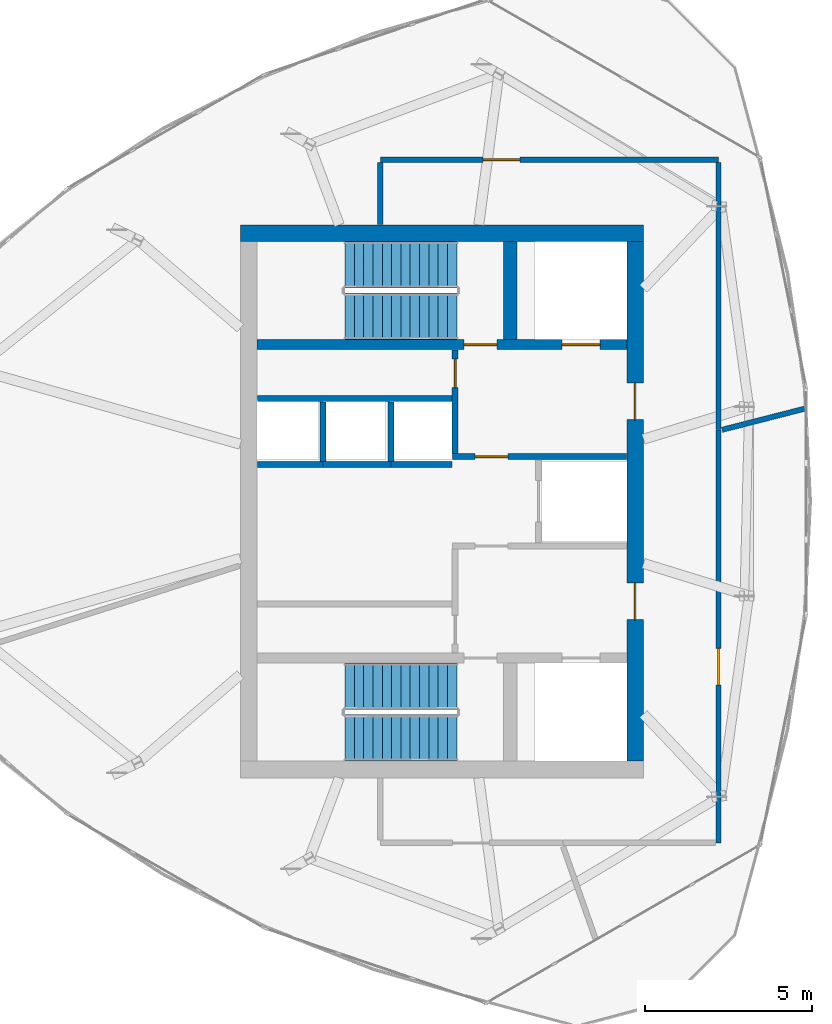
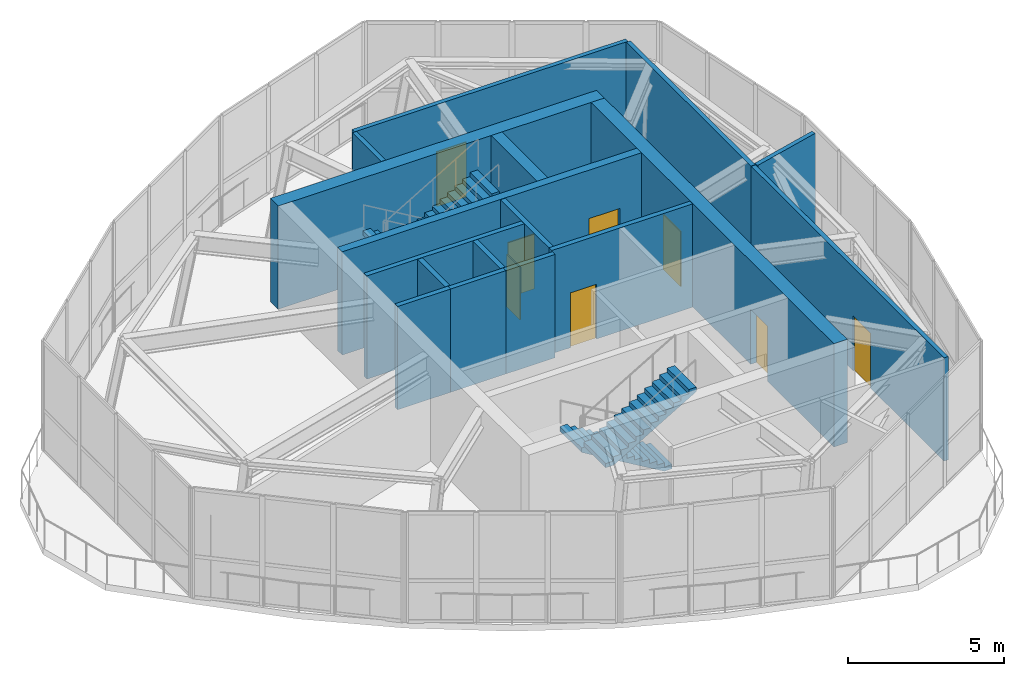
# One storey, part 8 of 11: 17 walls, 8 doors, 4 stair flights, 8 openings, 2 elements without a shape of their own.
"""IFC4 building model written with IfcOpenShell, lengths in metres."""

import ifcopenshell
import ifcopenshell.guid

model = None  # the IFC model being written
_history = None  # IfcOwnerHistory: only IFC2X3 demands one
_inside = {}  # id of a spatial element -> (the spatial element, [elements in it])
_under = {}  # id of a project, library or spatial element -> (it, [spatial elements below it])
_declared = {}  # id of a project -> (the project, [libraries it declares])
_typed = {}  # id of a type object -> (the type object, [elements of that type])
_made_of = {}  # id of a material, layer set ... -> (it, [elements and type objects made of it])


def new_model(schema):
    """Start an empty IFC model of exactly this schema.

    Asked for "IFC4X3", IfcOpenShell would pick the latest addendum, in which some entities
    have other attributes; the version numbers below select the first issue.
    IFC2X3 requires an IfcOwnerHistory on every rooted entity: one is made here for all.
    """
    global model, _history
    if schema == "IFC4X3":
        model = ifcopenshell.file(schema_version=(4, 3, 0, 0))
    else:
        model = ifcopenshell.file(schema=schema)
    _inside.clear()
    _under.clear()
    _declared.clear()
    _typed.clear()
    _made_of.clear()
    _history = None
    if model.schema == "IFC2X3":
        org = make("IfcOrganization", Name="unknown")
        user = make(
            "IfcPersonAndOrganization",
            ThePerson=make("IfcPerson", FamilyName="unknown"),
            TheOrganization=org,
        )
        app = make(
            "IfcApplication",
            ApplicationDeveloper=org,
            Version="unknown",
            ApplicationFullName="unknown",
            ApplicationIdentifier="unknown",
        )
        _history = make(
            "IfcOwnerHistory",
            OwningUser=user,
            OwningApplication=app,
            ChangeAction="ADDED",
            CreationDate=0,
        )
    return model


def make(cls, **values):
    """One entity of the class cls with the attributes given. An attribute that is None is left unset."""
    return model.create_entity(
        cls, **{name: value for name, value in values.items() if value is not None}
    )


def rooted(cls, **values):
    """An entity with a GlobalId (a new one), such as an element, a storey or a relation."""
    return make(cls, GlobalId=ifcopenshell.guid.new(), OwnerHistory=_history, **values)


def si_unit(unit_type, name, prefix=None):
    """IfcSIUnit, for example si_unit("LENGTHUNIT", "METRE", prefix="MILLI")."""
    return make("IfcSIUnit", UnitType=unit_type, Prefix=prefix, Name=name)


def assignment(units):
    """IfcUnitAssignment: the units of a project."""
    return None if units is None else make("IfcUnitAssignment", Units=units)


def point(xyz):
    """IfcCartesianPoint."""
    return None if xyz is None else make("IfcCartesianPoint", Coordinates=xyz)


def direction(xyz):
    """IfcDirection."""
    return None if xyz is None else make("IfcDirection", DirectionRatios=xyz)


def frame(location, z_axis=None, x_axis=None):
    """IfcAxis2Placement3D, a coordinate frame: its origin and axes. An axis left out is left unset."""
    return make(
        "IfcAxis2Placement3D",
        Location=point(location),
        Axis=direction(z_axis),
        RefDirection=direction(x_axis),
    )


def frame_2d(location, x_axis=None):
    """IfcAxis2Placement2D, a coordinate frame in the plane: its origin and x axis."""
    return make(
        "IfcAxis2Placement2D", Location=point(location), RefDirection=direction(x_axis)
    )


def origin():
    """The frame at (0, 0, 0) with its axes left unset."""
    return frame((0.0, 0.0, 0.0))


def place(relative_to, where):
    """IfcLocalPlacement: puts the frame where relative to a parent placement (None: the world)."""
    return make(
        "IfcLocalPlacement", PlacementRelTo=relative_to, RelativePlacement=where
    )


def context(
    kind, dimensions, precision=None, world=None, true_north=None, identifier=None
):
    """IfcGeometricRepresentationContext, for example the 3D "Model" context."""
    return make(
        "IfcGeometricRepresentationContext",
        ContextIdentifier=identifier,
        ContextType=kind,
        CoordinateSpaceDimension=dimensions,
        Precision=precision,
        WorldCoordinateSystem=world,
        TrueNorth=true_north,
    )


def subcontext(parent, identifier, kind, view, scale=None):
    """IfcGeometricRepresentationSubContext, for example "Body" below "Model"."""
    return make(
        "IfcGeometricRepresentationSubContext",
        ContextIdentifier=identifier,
        ContextType=kind,
        ParentContext=parent,
        TargetScale=scale,
        TargetView=view,
    )


def project(units=None, contexts=None):
    """IfcProject with its units and contexts."""
    return rooted(
        "IfcProject",
        Name="project",
        RepresentationContexts=contexts,
        UnitsInContext=assignment(units),
    )


def spatial(cls, under=None, at=None, **own):
    """A site, building, storey or space (cls), placed at a placement, below another one or the project."""
    s = rooted(cls, ObjectPlacement=at, **own)
    if under is not None:
        _under.setdefault(under.id(), (under, []))[1].append(s)
    return s


def polyline(points):
    """IfcPolyline through the points."""
    return make("IfcPolyline", Points=[point(p) for p in points])


def profile(cls, at=None, kind="AREA", **sizes):
    """A parametric profile (cls). Its sizes go by their IFC names, for example OverallWidth=200.0."""
    return make(cls, ProfileType=kind, Position=at, **sizes)


def rectangle(**sizes):
    """IfcRectangleProfileDef."""
    return profile("IfcRectangleProfileDef", **sizes)


def outline(outer, holes=None, kind="AREA"):
    """IfcArbitraryClosedProfileDef: a profile drawn as a closed curve; with holes, ...WithVoids."""
    if holes is None:
        return make("IfcArbitraryClosedProfileDef", ProfileType=kind, OuterCurve=outer)
    return make(
        "IfcArbitraryProfileDefWithVoids",
        ProfileType=kind,
        OuterCurve=outer,
        InnerCurves=holes,
    )


def extrude(swept, where, along, depth):
    """IfcExtrudedAreaSolid: the profile swept, set in the frame where, extruded along a direction by depth."""
    return make(
        "IfcExtrudedAreaSolid",
        SweptArea=swept,
        Position=where,
        ExtrudedDirection=direction(along),
        Depth=depth,
    )


def shape(context_of_items, identifier, shape_type, items):
    """IfcShapeRepresentation: the items that make up one representation, for example the "Body"."""
    return make(
        "IfcShapeRepresentation",
        ContextOfItems=context_of_items,
        RepresentationIdentifier=identifier,
        RepresentationType=shape_type,
        Items=items,
    )


def source(mapping_origin, context_of_items, identifier, shape_type, items):
    """IfcRepresentationMap: a shape defined once, which mapped items show again and again."""
    return make(
        "IfcRepresentationMap",
        MappingOrigin=mapping_origin,
        MappedRepresentation=shape(context_of_items, identifier, shape_type, items),
    )


def transform(
    local_origin,
    x_axis=None,
    y_axis=None,
    z_axis=None,
    scale=None,
    scale2=None,
    scale3=None,
    uniform=True,
):
    """IfcCartesianTransformationOperator3D, or its non-uniform kind. x_axis, y_axis, z_axis: its Axis1, 2, 3."""
    if uniform:
        return make(
            "IfcCartesianTransformationOperator3D",
            Axis1=direction(x_axis),
            Axis2=direction(y_axis),
            LocalOrigin=point(local_origin),
            Scale=scale,
            Axis3=direction(z_axis),
        )
    return make(
        "IfcCartesianTransformationOperator3DnonUniform",
        Axis1=direction(x_axis),
        Axis2=direction(y_axis),
        LocalOrigin=point(local_origin),
        Scale=scale,
        Axis3=direction(z_axis),
        Scale2=scale2,
        Scale3=scale3,
    )


def mapped(mapping_source, mapping_target):
    """IfcMappedItem: shows the shape of a source again, moved by a transform."""
    return make(
        "IfcMappedItem", MappingSource=mapping_source, MappingTarget=mapping_target
    )


def material(Name=None, Category=None):
    """IfcMaterial."""
    return make("IfcMaterial", Name=Name, Category=Category)


def layer(
    of_material, thickness, ventilated=None, Name=None, Category=None, Priority=None
):
    """IfcMaterialLayer: one layer of a wall or slab, of a material (None: an air gap)."""
    return make(
        "IfcMaterialLayer",
        Material=of_material,
        LayerThickness=thickness,
        IsVentilated=ventilated,
        Name=Name,
        Category=Category,
        Priority=Priority,
    )


def layer_set(layers, Name=None):
    """IfcMaterialLayerSet."""
    return make("IfcMaterialLayerSet", MaterialLayers=layers, LayerSetName=Name)


def made_of(thing, what):
    """Note that an element or type object is made of a material, layer set ...; save() writes the relation."""
    if what is not None:
        _made_of.setdefault(what.id(), (what, []))[1].append(thing)
    return thing


def type_object(cls, material=None, **own):
    """A type object (cls), such as IfcWallType, which elements share."""
    return made_of(rooted(cls, **own), material)


def element(
    cls,
    number,
    at=None,
    inside=None,
    cuts=None,
    type_object=None,
    material=None,
    context=None,
    identifier="Body",
    shape_type=None,
    held_by="IfcProductDefinitionShape",
    body=None,
    shapes=None,
    **own,
):
    """One element of the class cls, such as IfcWall. Its Tag is "e" and its number.

    at: its placement. inside: the storey or other place that contains it. cuts: it is an
    opening in that element (IfcRelVoidsElement). A single representation is given by context,
    identifier, shape_type and body (its items); several are given by shapes. held_by: the class
    of the entity that holds the representations. save() writes the other relations.
    """
    e = rooted(cls, Tag="e%d" % number, ObjectPlacement=at, **own)
    if body is not None:
        shapes = [shape(context, identifier, shape_type, body)]
    if shapes is not None:
        e.Representation = make(held_by, Representations=shapes)
    if inside is not None:
        _inside.setdefault(inside.id(), (inside, []))[1].append(e)
    if cuts is not None:
        rooted(
            "IfcRelVoidsElement", RelatingBuildingElement=cuts, RelatedOpeningElement=e
        )
    if type_object is not None:
        _typed.setdefault(type_object.id(), (type_object, []))[1].append(e)
    return made_of(e, material)


def fill(opening, filler):
    """IfcRelFillsElement: the door or window that sits in an opening."""
    return rooted(
        "IfcRelFillsElement",
        RelatingOpeningElement=opening,
        RelatedBuildingElement=filler,
    )


def aggregate(whole, parts):
    """IfcRelAggregates: a whole, such as a stair, and the parts it consists of."""
    return rooted("IfcRelAggregates", RelatingObject=whole, RelatedObjects=parts)


def save(model, path):
    """Write the relations noted so far, then the file.

    IfcRelAggregates (storeys below a building ...), IfcRelContainedInSpatialStructure (elements
    in a storey), IfcRelDefinesByType, IfcRelAssociatesMaterial and IfcRelDeclares: one each for
    every whole, place, type object, material and project.
    """
    for whole, parts in _under.values():
        aggregate(whole, parts)
    for where, things in _inside.values():
        rooted(
            "IfcRelContainedInSpatialStructure",
            RelatedElements=things,
            RelatingStructure=where,
        )
    for kind, things in _typed.values():
        rooted("IfcRelDefinesByType", RelatedObjects=things, RelatingType=kind)
    for what, things in _made_of.values():
        rooted("IfcRelAssociatesMaterial", RelatedObjects=things, RelatingMaterial=what)
    for by, libraries in _declared.values():
        rooted("IfcRelDeclares", RelatingContext=by, RelatedDefinitions=libraries)
    model.write(path)


model = new_model("IFC4")

# Units and contexts
model_context = context("Model", 3, precision=1e-05, world=origin(), true_north=direction((0.0, 1.0)))
body_context = subcontext(model_context, "Body", "Model", "MODEL_VIEW")
ifc_project = project(units=[si_unit("LENGTHUNIT", "METRE"), si_unit("AREAUNIT", "SQUARE_METRE"), si_unit("VOLUMEUNIT", "CUBIC_METRE"), si_unit("PLANEANGLEUNIT", "RADIAN"), si_unit("MASSUNIT", "GRAM", prefix="KILO")], contexts=[model_context])

# Site, building, storey
site_placement = place(None, origin())
site = spatial("IfcSite", under=ifc_project, at=site_placement, CompositionType="ELEMENT")
building_placement = place(site_placement, origin())
building = spatial("IfcBuilding", under=site, at=building_placement, Name="Qafzar Sky-Pleat Residences", CompositionType="ELEMENT")
storey_placement = place(building_placement, frame((0.0, 0.0, 253.199951171875)))
storey = spatial("IfcBuildingStorey", under=building, at=storey_placement, Name="L76 Crown", CompositionType="ELEMENT", Elevation=253.199951171875)

# Wall, opening, door
ifc_material_1 = material(Name="Acoustic gypsum plasterboard partition", Category="gypsum")
ifc_layer_1 = layer(ifc_material_1, 0.159912109375)
ifc_layer_set_1 = layer_set([ifc_layer_1], Name="Acoustic gypsum plasterboard partition")
wall_type_1 = type_object("IfcWallType", Name="PART-COR-160", PredefinedType="PARTITIONING", material=ifc_layer_set_1)
wall_1_placement = place(storey_placement, frame((38.64990234375, 28.135009765625, 0.0), z_axis=(0.0, 0.0, 1.0), x_axis=(0.0, -1.0, 0.0)))
wall_1 = element("IfcWall", 1, at=wall_1_placement, inside=storey, type_object=wall_type_1, Name="L76 Crown Partition Wall PART-L76_Crown-PW-001", PredefinedType="PARTITIONING", context=body_context, shape_type="SweptSolid", body=[
    extrude(rectangle(XDim=12.385009765625, YDim=0.159912109375, at=frame_2d((6.1923828125, 0.0))), origin(), (0.0, 0.0, 1.0), 4.050048828125),
])
opening_1_placement = place(wall_1_placement, frame((6.54638671875, 0.0, 0.0)))
opening_1 = element("IfcOpeningElement", 2, at=opening_1_placement, cuts=wall_1, Name="Opening ID-02", PredefinedType="OPENING", context=body_context, shape_type="SweptSolid", body=[
    extrude(rectangle(XDim=1.10009765625, YDim=2.14990234375, at=frame_2d((0.550048828125, 1.074951171875))), frame((0.0, 0.08984375, 0.0), z_axis=(0.0, -1.0, 0.0), x_axis=(1.0, 0.0, 0.0)), (0.0, 0.0, 1.0), 0.179931640625),
])
ifc_material_2 = material(Name="Timber-faced fire door", Category="wood")
door_type_1 = type_object("IfcDoorType", Name="DR-FFL-1100", OperationType="NOTDEFINED", PredefinedType="DOOR", material=ifc_material_2)
shared_shape_1 = source(origin(), body_context, "Body", "SweptSolid", [
    extrude(rectangle(XDim=1.10009765625, YDim=2.14990234375, at=frame_2d((0.550048828125, 1.074951171875))), frame((0.0, 0.02490234375, 0.0), z_axis=(0.0, -1.0, 0.0), x_axis=(1.0, 0.0, 0.0)), (0.0, 0.0, 1.0), 0.050048828125),
])
door_1_placement = place(opening_1_placement, origin())
door_1 = element("IfcDoor", 3, at=door_1_placement, inside=storey, type_object=door_type_1, Name="L76 Crown Crown Pressurization and Extract Fan Plant Room Door", OperationType="SINGLE_SWING_RIGHT", OverallHeight=2.14990234375, OverallWidth=1.10009765625, PredefinedType="DOOR", context=body_context, shape_type="MappedRepresentation", body=[
    mapped(shared_shape_1, transform((0.0, 0.0, 0.0), x_axis=(1.0, 0.0, 0.0), y_axis=(0.0, 1.0, 0.0), z_axis=(0.0, 0.0, 1.0), scale=1.0)),
])
fill(opening_1, door_1)

wall_2_placement = place(storey_placement, frame((38.64990234375, 36.25, 0.0), z_axis=(0.0, 0.0, 1.0), x_axis=(-1.0, 0.0, 0.0)))
wall_2 = element("IfcWall", 4, at=wall_2_placement, inside=storey, type_object=wall_type_1, Name="L76 Crown Partition Wall PART-L76_Crown-PW-002", PredefinedType="PARTITIONING", context=body_context, shape_type="SweptSolid", body=[
    extrude(rectangle(XDim=10.14990234375, YDim=0.159912109375, at=frame_2d((5.074951171875, 0.0))), origin(), (0.0, 0.0, 1.0), 4.050048828125),
])
opening_2_placement = place(wall_2_placement, frame((5.9599609375, 0.0, 0.0)))
opening_2 = element("IfcOpeningElement", 5, at=opening_2_placement, cuts=wall_2, Name="Opening ID-02", PredefinedType="OPENING", context=body_context, shape_type="SweptSolid", body=[
    extrude(rectangle(XDim=1.10009765625, YDim=2.14990234375, at=frame_2d((0.550048828125, 1.074951171875))), frame((0.0, 0.08984375, 0.0), z_axis=(0.0, -1.0, 0.0), x_axis=(1.0, 0.0, 0.0)), (0.0, 0.0, 1.0), 0.179931640625),
])
door_2_placement = place(opening_2_placement, origin())
door_2 = element("IfcDoor", 6, at=door_2_placement, inside=storey, type_object=door_type_1, Name="L76 Crown Crown Faceted Curtain-Wall Maintenance Plant Room Door", OperationType="SINGLE_SWING_LEFT", OverallHeight=2.14990234375, OverallWidth=1.10009765625, PredefinedType="DOOR", context=body_context, shape_type="MappedRepresentation", body=[
    mapped(shared_shape_1, transform((0.0, 0.0, 0.0), x_axis=(1.0, 0.0, 0.0), y_axis=(0.0, 1.0, 0.0), z_axis=(0.0, 0.0, 1.0), scale=1.0)),
])
fill(opening_2, door_2)

# Walls
wall_3_placement = place(storey_placement, frame((38.64990234375, 28.14990234375, 0.0), z_axis=(0.0, 0.0, 1.0), x_axis=(0.0, 1.0, 0.0)))
element("IfcWall", 7, at=wall_3_placement, inside=storey, type_object=wall_type_1, Name="L76 Crown Partition Wall PART-L76_Crown-PW-005", PredefinedType="PARTITIONING", context=body_context, shape_type="SweptSolid", body=[
    extrude(rectangle(XDim=8.01220703125, YDim=0.159912109375, at=frame_2d((4.006103515625, 0.0))), origin(), (0.0, 0.0, 1.0), 4.050048828125),
])
wall_4_placement = place(storey_placement, frame((38.757568359375, 28.146484375, 0.0), z_axis=(0.0, 0.0, 1.0), x_axis=(0.968866064002, 0.247585439849, 0.0)))
element("IfcWall", 8, at=wall_4_placement, inside=storey, type_object=wall_type_1, Name="L76 Crown Partition Wall PART-L76_Crown-PW-008", PredefinedType="PARTITIONING", context=body_context, shape_type="SweptSolid", body=[
    extrude(rectangle(XDim=2.58056640625, YDim=0.159912109375, at=frame_2d((1.290283203125, 0.0))), origin(), (0.0, 0.0, 1.0), 4.050048828125),
])
wall_5_placement = place(storey_placement, frame((28.5, 34.30810546875, 0.0), z_axis=(0.0, 0.0, 1.0), x_axis=(0.0, 1.0, 0.0)))
element("IfcWall", 9, at=wall_5_placement, inside=storey, type_object=wall_type_1, Name="L76 Crown Partition Wall PART-L76_Crown-PW-009", PredefinedType="PARTITIONING", context=body_context, shape_type="SweptSolid", body=[
    extrude(rectangle(XDim=1.85400390625, YDim=0.159912109375, at=frame_2d((0.927001953125, 0.0))), origin(), (0.0, 0.0, 1.0), 4.050048828125),
])

# Wall, opening, door
ifc_material_3 = material(Name="Concrete blockwork partition", Category="masonry")
ifc_layer_2 = layer(ifc_material_3, 0.179931640625)
ifc_layer_set_2 = layer_set([ifc_layer_2], Name="Concrete blockwork partition")
wall_type_2 = type_object("IfcWallType", Name="PART-SHAFT-180", PredefinedType="PARTITIONING", material=ifc_layer_set_2)
wall_6_placement = place(storey_placement, frame((30.75, 27.429931640625, 0.0), z_axis=(0.0, 0.0, 1.0), x_axis=(0.0, 1.0, 0.0)))
wall_6 = element("IfcWall", 10, at=wall_6_placement, inside=storey, type_object=wall_type_2, Name="L76 Crown Partition Wall PART-L76_Crown-FFL2-W", PredefinedType="PARTITIONING", context=body_context, shape_type="SweptSolid", body=[
    extrude(rectangle(XDim=3.110107421875, YDim=0.179931640625, at=frame_2d((1.55517578125, 0.0))), origin(), (0.0, 0.0, 1.0), 4.050048828125),
])
opening_3_placement = place(wall_6_placement, frame((1.97998046875, 0.0, 0.0)))
opening_3 = element("IfcOpeningElement", 11, at=opening_3_placement, cuts=wall_6, Name="Opening ID-09", PredefinedType="OPENING", context=body_context, shape_type="SweptSolid", body=[
    extrude(rectangle(XDim=0.860107421875, YDim=2.050048828125, at=frame_2d((0.43017578125, 1.02490234375))), frame((0.0, 0.10009765625, 0.0), z_axis=(0.0, -1.0, 0.0), x_axis=(1.0, 0.0, 0.0)), (0.0, 0.0, 1.0), 0.199951171875),
])
door_type_2 = type_object("IfcDoorType", Name="DR-SVC-860", OperationType="NOTDEFINED", PredefinedType="DOOR", material=ifc_material_2)
shared_shape_2 = source(origin(), body_context, "Body", "SweptSolid", [
    extrude(rectangle(XDim=0.860107421875, YDim=2.050048828125, at=frame_2d((0.43017578125, 1.02490234375))), frame((0.0, 0.02490234375, 0.0), z_axis=(0.0, -1.0, 0.0), x_axis=(1.0, 0.0, 0.0)), (0.0, 0.0, 1.0), 0.050048828125),
])
door_3_placement = place(opening_3_placement, origin())
door_3 = element("IfcDoor", 12, at=door_3_placement, inside=storey, type_object=door_type_2, Name="L76 Crown North Core Cupboard Door", OperationType="SINGLE_SWING_RIGHT", OverallHeight=2.050048828125, OverallWidth=0.860107421875, PredefinedType="DOOR", context=body_context, shape_type="MappedRepresentation", body=[
    mapped(shared_shape_2, transform((0.0, 0.0, 0.0), x_axis=(1.0, 0.0, 0.0), y_axis=(0.0, 1.0, 0.0), z_axis=(0.0, 0.0, 1.0), scale=1.0)),
])
fill(opening_3, door_3)

wall_7_placement = place(storey_placement, frame((30.669921875, 27.340087890625, 0.0), z_axis=(0.0, 0.0, 1.0), x_axis=(1.0, 0.0, 0.0)))
wall_7 = element("IfcWall", 13, at=wall_7_placement, inside=storey, type_object=wall_type_2, Name="L76 Crown Partition Wall PART-L76_Crown-FFL2-S", PredefinedType="PARTITIONING", context=body_context, shape_type="SweptSolid", body=[
    extrude(rectangle(XDim=5.219970703125, YDim=0.179931640625, at=frame_2d((2.60986328125, 0.0))), origin(), (0.0, 0.0, 1.0), 4.050048828125),
])
opening_4_placement = place(wall_7_placement, frame((0.679931640625, 0.0, 0.0)))
opening_4 = element("IfcOpeningElement", 14, at=opening_4_placement, cuts=wall_7, Name="Opening ID-01", PredefinedType="OPENING", context=body_context, shape_type="SweptSolid", body=[
    extrude(rectangle(XDim=0.97998046875, YDim=2.14990234375, at=frame_2d((0.489990234375, 1.074951171875))), frame((0.0, 0.10009765625, 0.0), z_axis=(0.0, -1.0, 0.0), x_axis=(1.0, 0.0, 0.0)), (0.0, 0.0, 1.0), 0.199951171875),
])
door_type_3 = type_object("IfcDoorType", Name="DR-STAIR-980", OperationType="NOTDEFINED", PredefinedType="DOOR", material=ifc_material_2)
shared_shape_3 = source(origin(), body_context, "Body", "SweptSolid", [
    extrude(rectangle(XDim=0.97998046875, YDim=2.14990234375, at=frame_2d((0.489990234375, 1.074951171875))), frame((0.0, 0.02490234375, 0.0), z_axis=(0.0, -1.0, 0.0), x_axis=(1.0, 0.0, 0.0)), (0.0, 0.0, 1.0), 0.050048828125),
])
door_4_placement = place(opening_4_placement, origin())
door_4 = element("IfcDoor", 15, at=door_4_placement, inside=storey, type_object=door_type_3, Name="L76 Crown Lift Lobby to North Firefighting Lobby Door", OperationType="SINGLE_SWING_LEFT", OverallHeight=2.14990234375, OverallWidth=0.97998046875, PredefinedType="DOOR", context=body_context, shape_type="MappedRepresentation", body=[
    mapped(shared_shape_3, transform((0.0, 0.0, 0.0), x_axis=(1.0, 0.0, 0.0), y_axis=(0.0, 1.0, 0.0), z_axis=(0.0, 0.0, 1.0), scale=1.0)),
])
fill(opening_4, door_4)

# Walls
wall_8_placement = place(storey_placement, frame((24.81005859375, 29.080078125, 0.0), z_axis=(0.0, 0.0, 1.0), x_axis=(1.0, 0.0, 0.0)))
element("IfcWall", 16, at=wall_8_placement, inside=storey, type_object=wall_type_2, Name="L76 Crown Partition Wall PART-L76_Crown-P46-N", PredefinedType="PARTITIONING", context=body_context, shape_type="SweptSolid", body=[
    extrude(rectangle(XDim=5.83984375, YDim=0.179931640625, at=frame_2d((2.919921875, 0.0))), origin(), (0.0, 0.0, 1.0), 4.050048828125),
])
wall_9_placement = place(storey_placement, frame((24.81005859375, 27.10009765625, 0.0), z_axis=(0.0, 0.0, 1.0), x_axis=(1.0, 0.0, 0.0)))
element("IfcWall", 17, at=wall_9_placement, inside=storey, type_object=wall_type_2, Name="L76 Crown Partition Wall PART-L76_Crown-P4-S", PredefinedType="PARTITIONING", context=body_context, shape_type="SweptSolid", body=[
    extrude(rectangle(XDim=1.96484375, YDim=0.179931640625, at=frame_2d((0.982421875, 0.0))), origin(), (0.0, 0.0, 1.0), 4.050048828125),
])
wall_10_placement = place(storey_placement, frame((26.77490234375, 27.10009765625, 0.0), z_axis=(0.0, 0.0, 1.0), x_axis=(1.0, 0.0, 0.0)))
element("IfcWall", 18, at=wall_10_placement, inside=storey, type_object=wall_type_2, Name="L76 Crown Partition Wall PART-L76_Crown-P5-S", PredefinedType="PARTITIONING", context=body_context, shape_type="SweptSolid", body=[
    extrude(rectangle(XDim=2.050048828125, YDim=0.179931640625, at=frame_2d((1.02490234375, 0.0))), origin(), (0.0, 0.0, 1.0), 4.050048828125),
])
wall_11_placement = place(storey_placement, frame((26.77490234375, 27.199951171875, 0.0), z_axis=(0.0, 0.0, 1.0), x_axis=(0.0, 1.0, 0.0)))
element("IfcWall", 19, at=wall_11_placement, inside=storey, type_object=wall_type_2, Name="L76 Crown Partition Wall PART-L76_Crown-P46-DIV-1", PredefinedType="PARTITIONING", context=body_context, shape_type="SweptSolid", body=[
    extrude(rectangle(XDim=1.780029296875, YDim=0.179931640625, at=frame_2d((0.89013671875, 0.0))), origin(), (0.0, 0.0, 1.0), 4.050048828125),
])
wall_12_placement = place(storey_placement, frame((28.824951171875, 27.10009765625, 0.0), z_axis=(0.0, 0.0, 1.0), x_axis=(1.0, 0.0, 0.0)))
element("IfcWall", 20, at=wall_12_placement, inside=storey, type_object=wall_type_2, Name="L76 Crown Partition Wall PART-L76_Crown-P6-S", PredefinedType="PARTITIONING", context=body_context, shape_type="SweptSolid", body=[
    extrude(rectangle(XDim=1.824951171875, YDim=0.179931640625, at=frame_2d((0.91259765625, 0.0))), origin(), (0.0, 0.0, 1.0), 4.050048828125),
])
wall_13_placement = place(storey_placement, frame((28.824951171875, 27.199951171875, 0.0), z_axis=(0.0, 0.0, 1.0), x_axis=(0.0, 1.0, 0.0)))
element("IfcWall", 21, at=wall_13_placement, inside=storey, type_object=wall_type_2, Name="L76 Crown Partition Wall PART-L76_Crown-P46-DIV-2", PredefinedType="PARTITIONING", context=body_context, shape_type="SweptSolid", body=[
    extrude(rectangle(XDim=1.780029296875, YDim=0.179931640625, at=frame_2d((0.89013671875, 0.0))), origin(), (0.0, 0.0, 1.0), 4.050048828125),
])

# Wall, openings, doors
ifc_material_4 = material(Name="Concrete C60/75", Category="concrete")
ifc_layer_3 = layer(ifc_material_4, 0.300048828125)
ifc_layer_set_3 = layer_set([ifc_layer_3], Name="Concrete C60/75")
wall_type_3 = type_object("IfcWallType", Name="WALL-SHEAR-300", PredefinedType="SHEAR", material=ifc_layer_set_3)
wall_14_placement = place(storey_placement, frame((24.800048828125, 30.699951171875, 0.0), z_axis=(0.0, 0.0, 1.0), x_axis=(1.0, 0.0, 0.0)))
wall_14 = element("IfcWall", 22, at=wall_14_placement, inside=storey, type_object=wall_type_3, Name="L76 Crown Stair ST2 and FF2 Shaft South Wall", PredefinedType="SHEAR", context=body_context, shape_type="SweptSolid", body=[
    extrude(rectangle(XDim=11.099853515625, YDim=0.300048828125, at=frame_2d((5.5498046875, 0.0))), origin(), (0.0, 0.0, 1.0), 4.050048828125),
])
opening_5_placement = place(wall_14_placement, frame((6.219970703125, 0.0, 0.0)))
opening_5 = element("IfcOpeningElement", 23, at=opening_5_placement, cuts=wall_14, Name="Opening ID-01", PredefinedType="OPENING", context=body_context, shape_type="SweptSolid", body=[
    extrude(rectangle(XDim=0.97998046875, YDim=2.14990234375, at=frame_2d((0.489990234375, 1.074951171875))), frame((0.0, 0.16015625, 0.0), z_axis=(0.0, -1.0, 0.0), x_axis=(1.0, 0.0, 0.0)), (0.0, 0.0, 1.0), 0.320068359375),
])
opening_6_placement = place(wall_14_placement, frame((9.14990234375, 0.0, 0.0)))
opening_6 = element("IfcOpeningElement", 24, at=opening_6_placement, cuts=wall_14, Name="Opening LD-02", PredefinedType="OPENING", context=body_context, shape_type="SweptSolid", body=[
    extrude(rectangle(XDim=1.14990234375, YDim=2.14990234375, at=frame_2d((0.574951171875, 1.074951171875))), frame((0.0, 0.16015625, 0.0), z_axis=(0.0, -1.0, 0.0), x_axis=(1.0, 0.0, 0.0)), (0.0, 0.0, 1.0), 0.320068359375),
])
door_5_placement = place(opening_5_placement, origin())
door_5 = element("IfcDoor", 25, at=door_5_placement, inside=storey, type_object=door_type_3, Name="L76 Crown Stair ST2 Fire Door", OperationType="SINGLE_SWING_LEFT", OverallHeight=2.14990234375, OverallWidth=0.97998046875, PredefinedType="DOOR", context=body_context, shape_type="MappedRepresentation", body=[
    mapped(shared_shape_3, transform((0.0, 0.0, 0.0), x_axis=(1.0, 0.0, 0.0), y_axis=(0.0, 1.0, 0.0), z_axis=(0.0, 0.0, 1.0), scale=1.0)),
])
fill(opening_5, door_5)
ifc_material_5 = material(Name="Stainless steel sliding landing door", Category="steel")
door_type_4 = type_object("IfcDoorType", Name="DR-LIFT-FF", OperationType="DOUBLE_DOOR_SLIDING", PredefinedType="DOOR", material=ifc_material_5)
shared_shape_4 = source(origin(), body_context, "Body", "SweptSolid", [
    extrude(rectangle(XDim=1.14990234375, YDim=2.14990234375, at=frame_2d((0.574951171875, 1.074951171875))), frame((0.0, 0.02490234375, 0.0), z_axis=(0.0, -1.0, 0.0), x_axis=(1.0, 0.0, 0.0)), (0.0, 0.0, 1.0), 0.050048828125),
])
door_6_placement = place(opening_6_placement, origin())
door_6 = element("IfcDoor", 26, at=door_6_placement, inside=storey, type_object=door_type_4, Name="L76 Crown Firefighting Lift FF2 Landing Door", OperationType="DOUBLE_DOOR_SLIDING", OverallHeight=2.14990234375, OverallWidth=1.14990234375, PredefinedType="DOOR", context=body_context, shape_type="MappedRepresentation", body=[
    mapped(shared_shape_4, transform((0.0, 0.0, 0.0), x_axis=(1.0, 0.0, 0.0), y_axis=(0.0, 1.0, 0.0), z_axis=(0.0, 0.0, 1.0), scale=1.0)),
])
fill(opening_6, door_6)

# Walls
ifc_layer_4 = layer(ifc_material_4, 0.39990234375)
ifc_layer_set_4 = layer_set([ifc_layer_4], Name="Concrete C60/75")
wall_type_4 = type_object("IfcWallType", Name="WALL-SHEAR-400", PredefinedType="SHEAR", material=ifc_layer_set_4)
wall_15_placement = place(storey_placement, frame((32.39990234375, 30.85009765625, 0.0), z_axis=(0.0, 0.0, 1.0), x_axis=(0.0, 1.0, 0.0)))
element("IfcWall", 27, at=wall_15_placement, inside=storey, type_object=wall_type_4, Name="L76 Crown Stair ST2 East Dividing Wall", PredefinedType="SHEAR", context=body_context, shape_type="SweptSolid", body=[
    extrude(rectangle(XDim=2.949951171875, YDim=0.39990234375, at=frame_2d((1.47509765625, 0.0))), origin(), (0.0, 0.0, 1.0), 4.050048828125),
])
ifc_layer_5 = layer(ifc_material_4, 0.5)
ifc_layer_set_5 = layer_set([ifc_layer_5], Name="Concrete C60/75")
wall_type_5 = type_object("IfcWallType", Name="WALL-SHEAR-500", PredefinedType="SHEAR", material=ifc_layer_set_5)
wall_16_placement = place(storey_placement, frame((36.39990234375, 34.050048828125, 0.0), z_axis=(0.0, 0.0, 1.0), x_axis=(-1.0, 0.0, 0.0)))
element("IfcWall", 28, at=wall_16_placement, inside=storey, type_object=wall_type_5, Name="L76 Crown CORE wall N", PredefinedType="SHEAR", context=body_context, shape_type="SweptSolid", body=[
    extrude(rectangle(XDim=12.099853515625, YDim=0.5, at=frame_2d((6.0498046875, 0.0))), origin(), (0.0, 0.0, 1.0), 4.050048828125),
])

# Wall, openings, doors
wall_17_placement = place(storey_placement, frame((36.14990234375, 18.199951171875, 0.0), z_axis=(0.0, 0.0, 1.0), x_axis=(0.0, 1.0, 0.0)))
wall_17 = element("IfcWall", 29, at=wall_17_placement, inside=storey, type_object=wall_type_5, Name="L76 Crown CORE wall E", PredefinedType="SHEAR", context=body_context, shape_type="SweptSolid", body=[
    extrude(rectangle(XDim=15.60009765625, YDim=0.5, at=frame_2d((7.800048828125, 0.0))), origin(), (0.0, 0.0, 1.0), 4.050048828125),
])
opening_7_placement = place(wall_17_placement, frame((4.25, 0.0, 0.0)))
opening_7 = element("IfcOpeningElement", 30, at=opening_7_placement, cuts=wall_17, Name="Opening ID-02", PredefinedType="OPENING", context=body_context, shape_type="SweptSolid", body=[
    extrude(rectangle(XDim=1.10009765625, YDim=2.14990234375, at=frame_2d((0.550048828125, 1.074951171875))), frame((0.0, 0.260009765625, 0.0), z_axis=(0.0, -1.0, 0.0), x_axis=(1.0, 0.0, 0.0)), (0.0, 0.0, 1.0), 0.52001953125),
])
opening_8_placement = place(wall_17_placement, frame((10.25, 0.0, 0.0)))
opening_8 = element("IfcOpeningElement", 31, at=opening_8_placement, cuts=wall_17, Name="Opening ID-02", PredefinedType="OPENING", context=body_context, shape_type="SweptSolid", body=[
    extrude(rectangle(XDim=1.10009765625, YDim=2.14990234375, at=frame_2d((0.550048828125, 1.074951171875))), frame((0.0, 0.260009765625, 0.0), z_axis=(0.0, -1.0, 0.0), x_axis=(1.0, 0.0, 0.0)), (0.0, 0.0, 1.0), 0.52001953125),
])
door_7_placement = place(opening_7_placement, origin())
door_7 = element("IfcDoor", 32, at=door_7_placement, inside=storey, type_object=door_type_1, Name="L76 Crown Firefighting Lobby South Corridor Door", OperationType="SINGLE_SWING_RIGHT", OverallHeight=2.14990234375, OverallWidth=1.10009765625, PredefinedType="DOOR", context=body_context, shape_type="MappedRepresentation", body=[
    mapped(shared_shape_1, transform((0.0, 0.0, 0.0), x_axis=(1.0, 0.0, 0.0), y_axis=(0.0, 1.0, 0.0), z_axis=(0.0, 0.0, 1.0), scale=1.0)),
])
fill(opening_7, door_7)
door_8_placement = place(opening_8_placement, origin())
door_8 = element("IfcDoor", 33, at=door_8_placement, inside=storey, type_object=door_type_1, Name="L76 Crown Firefighting Lobby North Corridor Door", OperationType="SINGLE_SWING_LEFT", OverallHeight=2.14990234375, OverallWidth=1.10009765625, PredefinedType="DOOR", context=body_context, shape_type="MappedRepresentation", body=[
    mapped(shared_shape_1, transform((0.0, 0.0, 0.0), x_axis=(1.0, 0.0, 0.0), y_axis=(0.0, 1.0, 0.0), z_axis=(0.0, 0.0, 1.0), scale=1.0)),
])
fill(opening_8, door_8)

# Stair, stair flights
ifc_material_6 = material(Name="Concrete C40/50", Category="concrete")
stair_type = type_object("IfcStairType", Name="STAIR-H430", PredefinedType="HALF_TURN_STAIR", material=ifc_material_6)
stair_1_placement = place(storey_placement, origin())
stair_1 = element("IfcStair", 34, at=stair_1_placement, inside=storey, type_object=stair_type, Name="L76 Crown Protected Exit Stair ST1", PredefinedType="HALF_TURN_STAIR")
stair_flight_type = type_object("IfcStairFlightType", Name="FLIGHT-H430", PredefinedType="STRAIGHT", material=ifc_material_6)
shared_shape_5 = source(origin(), body_context, "Body", "SweptSolid", [
    extrude(outline(polyline([(0.0, 0.0), (0.0, 0.165283203125), (0.280029296875, 0.165283203125), (0.280029296875, 0.330810546875), (0.56005859375, 0.330810546875), (0.56005859375, 0.49609375), (0.840087890625, 0.49609375), (0.840087890625, 0.66162109375), (1.1201171875, 0.66162109375), (1.1201171875, 0.826904296875), (1.39990234375, 0.826904296875), (1.39990234375, 0.9921875), (1.679931640625, 0.9921875), (1.679931640625, 1.15771484375), (1.9599609375, 1.15771484375), (1.9599609375, 1.322998046875), (2.239990234375, 1.322998046875), (2.239990234375, 1.488525390625), (2.52001953125, 1.488525390625), (2.52001953125, 1.65380859375), (2.800048828125, 1.65380859375), (2.800048828125, 1.8193359375), (3.080078125, 1.8193359375), (3.080078125, 1.984619140625), (3.360107421875, 1.984619140625), (3.360107421875, 2.14990234375), (3.360107421875, 1.810546875), (0.294677734375, 0.0), (0.0, 0.0)])), frame((0.0, 0.699951171875, 0.0), z_axis=(0.0, -1.0, 0.0), x_axis=(1.0, 0.0, 0.0)), (0.0, 0.0, 1.0), 1.39990234375),
])
stair_flight_1_placement = place(storey_placement, frame((30.800048828125, 20.449951171875, 0.0), z_axis=(0.0, 0.0, 1.0), x_axis=(-1.0, 0.0, 0.0)))
stair_flight_1 = element("IfcStairFlight", 35, at=stair_flight_1_placement, type_object=stair_flight_type, Name="ST1 flight 1", NumberOfRisers=13, NumberOfTreads=12, PredefinedType="STRAIGHT", RiserHeight=0.165384615, TreadLength=0.28, context=body_context, shape_type="MappedRepresentation", body=[
    mapped(shared_shape_5, transform((0.0, 0.0, 0.0), x_axis=(1.0, 0.0, 0.0), y_axis=(0.0, 1.0, 0.0), z_axis=(0.0, 0.0, 1.0), scale=1.0)),
])
stair_flight_2_placement = place(storey_placement, frame((27.43994140625, 18.89990234375, 2.150146484375), z_axis=(0.0, 0.0, 1.0), x_axis=(1.0, 0.0, 0.0)))
stair_flight_2 = element("IfcStairFlight", 36, at=stair_flight_2_placement, type_object=stair_flight_type, Name="ST1 flight 2", NumberOfRisers=13, NumberOfTreads=12, PredefinedType="STRAIGHT", RiserHeight=0.165384615, TreadLength=0.28, context=body_context, shape_type="MappedRepresentation", body=[
    mapped(shared_shape_5, transform((0.0, 0.0, 0.0), x_axis=(1.0, 0.0, 0.0), y_axis=(0.0, 1.0, 0.0), z_axis=(0.0, 0.0, 1.0), scale=1.0)),
])
aggregate(stair_1, [stair_flight_1, stair_flight_2])

stair_2_placement = place(storey_placement, origin())
stair_2 = element("IfcStair", 37, at=stair_2_placement, inside=storey, type_object=stair_type, Name="L76 Crown Protected Exit Stair ST2", PredefinedType="HALF_TURN_STAIR")
stair_flight_3_placement = place(storey_placement, frame((30.800048828125, 33.10009765625, 0.0), z_axis=(0.0, 0.0, 1.0), x_axis=(-1.0, 0.0, 0.0)))
stair_flight_3 = element("IfcStairFlight", 38, at=stair_flight_3_placement, type_object=stair_flight_type, Name="ST2 flight 1", NumberOfRisers=13, NumberOfTreads=12, PredefinedType="STRAIGHT", RiserHeight=0.165384615, TreadLength=0.28, context=body_context, shape_type="MappedRepresentation", body=[
    mapped(shared_shape_5, transform((0.0, 0.0, 0.0), x_axis=(1.0, 0.0, 0.0), y_axis=(0.0, 1.0, 0.0), z_axis=(0.0, 0.0, 1.0), scale=1.0)),
])
stair_flight_4_placement = place(storey_placement, frame((27.43994140625, 31.550048828125, 2.150146484375), z_axis=(0.0, 0.0, 1.0), x_axis=(1.0, 0.0, 0.0)))
stair_flight_4 = element("IfcStairFlight", 39, at=stair_flight_4_placement, type_object=stair_flight_type, Name="ST2 flight 2", NumberOfRisers=13, NumberOfTreads=12, PredefinedType="STRAIGHT", RiserHeight=0.165384615, TreadLength=0.28, context=body_context, shape_type="MappedRepresentation", body=[
    mapped(shared_shape_5, transform((0.0, 0.0, 0.0), x_axis=(1.0, 0.0, 0.0), y_axis=(0.0, 1.0, 0.0), z_axis=(0.0, 0.0, 1.0), scale=1.0)),
])
aggregate(stair_2, [stair_flight_3, stair_flight_4])

save(model, "model.ifc")
